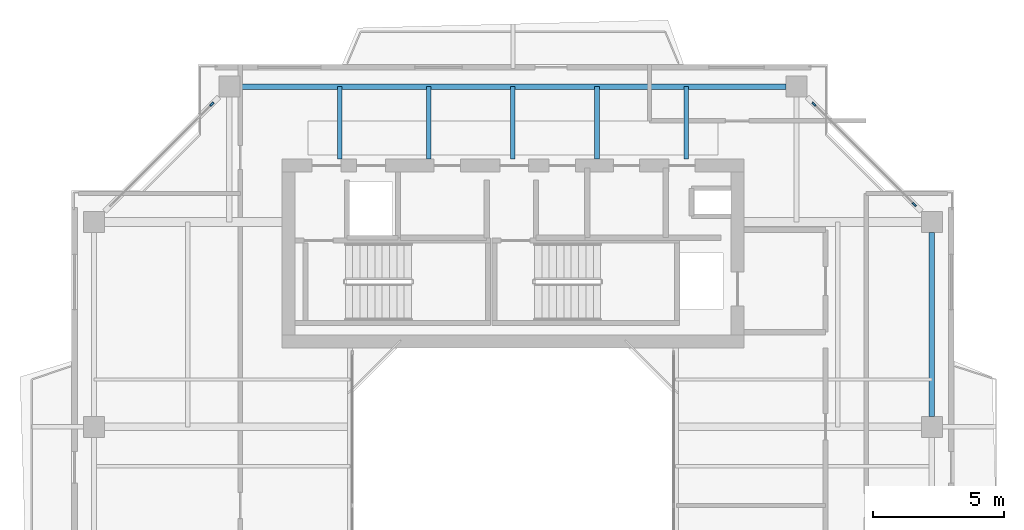
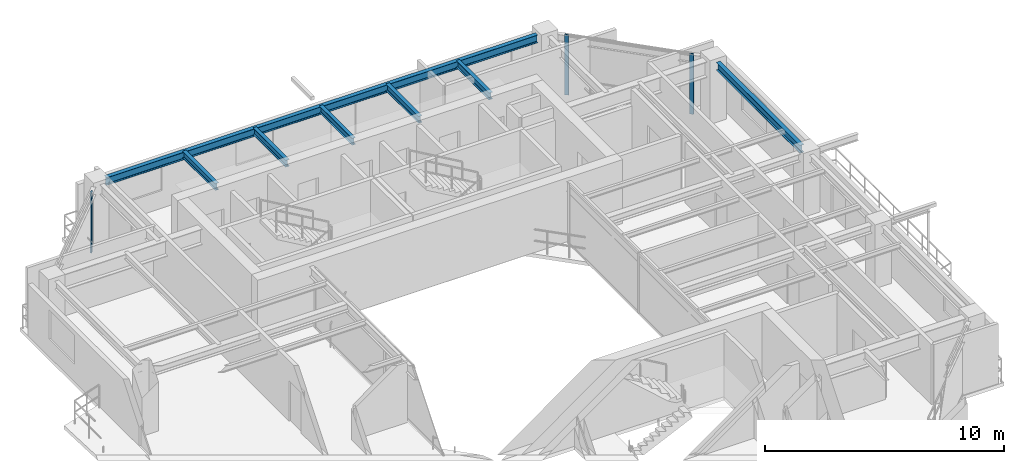
# One storey, part 8 of 15: 7 beams, 3 members, 2 elements without a shape of their own.
"""IFC4 building model written with IfcOpenShell, lengths in metres."""

import ifcopenshell
import ifcopenshell.guid

model = None  # the IFC model being written
_history = None  # IfcOwnerHistory: only IFC2X3 demands one
_inside = {}  # id of a spatial element -> (the spatial element, [elements in it])
_under = {}  # id of a project, library or spatial element -> (it, [spatial elements below it])
_declared = {}  # id of a project -> (the project, [libraries it declares])
_typed = {}  # id of a type object -> (the type object, [elements of that type])
_made_of = {}  # id of a material, layer set ... -> (it, [elements and type objects made of it])


def new_model(schema):
    """Start an empty IFC model of exactly this schema.

    Asked for "IFC4X3", IfcOpenShell would pick the latest addendum, in which some entities
    have other attributes; the version numbers below select the first issue.
    IFC2X3 requires an IfcOwnerHistory on every rooted entity: one is made here for all.
    """
    global model, _history
    if schema == "IFC4X3":
        model = ifcopenshell.file(schema_version=(4, 3, 0, 0))
    else:
        model = ifcopenshell.file(schema=schema)
    _inside.clear()
    _under.clear()
    _declared.clear()
    _typed.clear()
    _made_of.clear()
    _history = None
    if model.schema == "IFC2X3":
        org = make("IfcOrganization", Name="unknown")
        user = make(
            "IfcPersonAndOrganization",
            ThePerson=make("IfcPerson", FamilyName="unknown"),
            TheOrganization=org,
        )
        app = make(
            "IfcApplication",
            ApplicationDeveloper=org,
            Version="unknown",
            ApplicationFullName="unknown",
            ApplicationIdentifier="unknown",
        )
        _history = make(
            "IfcOwnerHistory",
            OwningUser=user,
            OwningApplication=app,
            ChangeAction="ADDED",
            CreationDate=0,
        )
    return model


def make(cls, **values):
    """One entity of the class cls with the attributes given. An attribute that is None is left unset."""
    return model.create_entity(
        cls, **{name: value for name, value in values.items() if value is not None}
    )


def rooted(cls, **values):
    """An entity with a GlobalId (a new one), such as an element, a storey or a relation."""
    return make(cls, GlobalId=ifcopenshell.guid.new(), OwnerHistory=_history, **values)


def si_unit(unit_type, name, prefix=None):
    """IfcSIUnit, for example si_unit("LENGTHUNIT", "METRE", prefix="MILLI")."""
    return make("IfcSIUnit", UnitType=unit_type, Prefix=prefix, Name=name)


def assignment(units):
    """IfcUnitAssignment: the units of a project."""
    return None if units is None else make("IfcUnitAssignment", Units=units)


def point(xyz):
    """IfcCartesianPoint."""
    return None if xyz is None else make("IfcCartesianPoint", Coordinates=xyz)


def direction(xyz):
    """IfcDirection."""
    return None if xyz is None else make("IfcDirection", DirectionRatios=xyz)


def frame(location, z_axis=None, x_axis=None):
    """IfcAxis2Placement3D, a coordinate frame: its origin and axes. An axis left out is left unset."""
    return make(
        "IfcAxis2Placement3D",
        Location=point(location),
        Axis=direction(z_axis),
        RefDirection=direction(x_axis),
    )


def frame_2d(location, x_axis=None):
    """IfcAxis2Placement2D, a coordinate frame in the plane: its origin and x axis."""
    return make(
        "IfcAxis2Placement2D", Location=point(location), RefDirection=direction(x_axis)
    )


def origin():
    """The frame at (0, 0, 0) with its axes left unset."""
    return frame((0.0, 0.0, 0.0))


def origin_2d():
    """The frame at (0, 0) in the plane with its x axis left unset."""
    return frame_2d((0.0, 0.0))


def place(relative_to, where):
    """IfcLocalPlacement: puts the frame where relative to a parent placement (None: the world)."""
    return make(
        "IfcLocalPlacement", PlacementRelTo=relative_to, RelativePlacement=where
    )


def context(
    kind, dimensions, precision=None, world=None, true_north=None, identifier=None
):
    """IfcGeometricRepresentationContext, for example the 3D "Model" context."""
    return make(
        "IfcGeometricRepresentationContext",
        ContextIdentifier=identifier,
        ContextType=kind,
        CoordinateSpaceDimension=dimensions,
        Precision=precision,
        WorldCoordinateSystem=world,
        TrueNorth=true_north,
    )


def subcontext(parent, identifier, kind, view, scale=None):
    """IfcGeometricRepresentationSubContext, for example "Body" below "Model"."""
    return make(
        "IfcGeometricRepresentationSubContext",
        ContextIdentifier=identifier,
        ContextType=kind,
        ParentContext=parent,
        TargetScale=scale,
        TargetView=view,
    )


def project(units=None, contexts=None):
    """IfcProject with its units and contexts."""
    return rooted(
        "IfcProject",
        Name="project",
        RepresentationContexts=contexts,
        UnitsInContext=assignment(units),
    )


def spatial(cls, under=None, at=None, **own):
    """A site, building, storey or space (cls), placed at a placement, below another one or the project."""
    s = rooted(cls, ObjectPlacement=at, **own)
    if under is not None:
        _under.setdefault(under.id(), (under, []))[1].append(s)
    return s


def profile(cls, at=None, kind="AREA", **sizes):
    """A parametric profile (cls). Its sizes go by their IFC names, for example OverallWidth=200.0."""
    return make(cls, ProfileType=kind, Position=at, **sizes)


def rectangle(**sizes):
    """IfcRectangleProfileDef."""
    return profile("IfcRectangleProfileDef", **sizes)


def i_section(**sizes):
    """IfcIShapeProfileDef."""
    return profile("IfcIShapeProfileDef", **sizes)


def extrude(swept, where, along, depth):
    """IfcExtrudedAreaSolid: the profile swept, set in the frame where, extruded along a direction by depth."""
    return make(
        "IfcExtrudedAreaSolid",
        SweptArea=swept,
        Position=where,
        ExtrudedDirection=direction(along),
        Depth=depth,
    )


def shape(context_of_items, identifier, shape_type, items):
    """IfcShapeRepresentation: the items that make up one representation, for example the "Body"."""
    return make(
        "IfcShapeRepresentation",
        ContextOfItems=context_of_items,
        RepresentationIdentifier=identifier,
        RepresentationType=shape_type,
        Items=items,
    )


def source(mapping_origin, context_of_items, identifier, shape_type, items):
    """IfcRepresentationMap: a shape defined once, which mapped items show again and again."""
    return make(
        "IfcRepresentationMap",
        MappingOrigin=mapping_origin,
        MappedRepresentation=shape(context_of_items, identifier, shape_type, items),
    )


def transform(
    local_origin,
    x_axis=None,
    y_axis=None,
    z_axis=None,
    scale=None,
    scale2=None,
    scale3=None,
    uniform=True,
):
    """IfcCartesianTransformationOperator3D, or its non-uniform kind. x_axis, y_axis, z_axis: its Axis1, 2, 3."""
    if uniform:
        return make(
            "IfcCartesianTransformationOperator3D",
            Axis1=direction(x_axis),
            Axis2=direction(y_axis),
            LocalOrigin=point(local_origin),
            Scale=scale,
            Axis3=direction(z_axis),
        )
    return make(
        "IfcCartesianTransformationOperator3DnonUniform",
        Axis1=direction(x_axis),
        Axis2=direction(y_axis),
        LocalOrigin=point(local_origin),
        Scale=scale,
        Axis3=direction(z_axis),
        Scale2=scale2,
        Scale3=scale3,
    )


def mapped(mapping_source, mapping_target):
    """IfcMappedItem: shows the shape of a source again, moved by a transform."""
    return make(
        "IfcMappedItem", MappingSource=mapping_source, MappingTarget=mapping_target
    )


def material(Name=None, Category=None):
    """IfcMaterial."""
    return make("IfcMaterial", Name=Name, Category=Category)


def layer(
    of_material, thickness, ventilated=None, Name=None, Category=None, Priority=None
):
    """IfcMaterialLayer: one layer of a wall or slab, of a material (None: an air gap)."""
    return make(
        "IfcMaterialLayer",
        Material=of_material,
        LayerThickness=thickness,
        IsVentilated=ventilated,
        Name=Name,
        Category=Category,
        Priority=Priority,
    )


def layer_set(layers, Name=None):
    """IfcMaterialLayerSet."""
    return make("IfcMaterialLayerSet", MaterialLayers=layers, LayerSetName=Name)


def material_profile(
    of_material, cross_section, Name=None, Category=None, Priority=None
):
    """IfcMaterialProfile: a cross section and its material."""
    return make(
        "IfcMaterialProfile",
        Name=Name,
        Material=of_material,
        Profile=cross_section,
        Priority=Priority,
        Category=Category,
    )


def profile_set(profiles, Name=None, composite=None):
    """IfcMaterialProfileSet."""
    return make(
        "IfcMaterialProfileSet",
        Name=Name,
        MaterialProfiles=profiles,
        CompositeProfile=composite,
    )


def made_of(thing, what):
    """Note that an element or type object is made of a material, layer set ...; save() writes the relation."""
    if what is not None:
        _made_of.setdefault(what.id(), (what, []))[1].append(thing)
    return thing


def type_object(cls, material=None, **own):
    """A type object (cls), such as IfcWallType, which elements share."""
    return made_of(rooted(cls, **own), material)


def element(
    cls,
    number,
    at=None,
    inside=None,
    cuts=None,
    type_object=None,
    material=None,
    context=None,
    identifier="Body",
    shape_type=None,
    held_by="IfcProductDefinitionShape",
    body=None,
    shapes=None,
    **own,
):
    """One element of the class cls, such as IfcWall. Its Tag is "e" and its number.

    at: its placement. inside: the storey or other place that contains it. cuts: it is an
    opening in that element (IfcRelVoidsElement). A single representation is given by context,
    identifier, shape_type and body (its items); several are given by shapes. held_by: the class
    of the entity that holds the representations. save() writes the other relations.
    """
    e = rooted(cls, Tag="e%d" % number, ObjectPlacement=at, **own)
    if body is not None:
        shapes = [shape(context, identifier, shape_type, body)]
    if shapes is not None:
        e.Representation = make(held_by, Representations=shapes)
    if inside is not None:
        _inside.setdefault(inside.id(), (inside, []))[1].append(e)
    if cuts is not None:
        rooted(
            "IfcRelVoidsElement", RelatingBuildingElement=cuts, RelatedOpeningElement=e
        )
    if type_object is not None:
        _typed.setdefault(type_object.id(), (type_object, []))[1].append(e)
    return made_of(e, material)


def aggregate(whole, parts):
    """IfcRelAggregates: a whole, such as a stair, and the parts it consists of."""
    return rooted("IfcRelAggregates", RelatingObject=whole, RelatedObjects=parts)


def save(model, path):
    """Write the relations noted so far, then the file.

    IfcRelAggregates (storeys below a building ...), IfcRelContainedInSpatialStructure (elements
    in a storey), IfcRelDefinesByType, IfcRelAssociatesMaterial and IfcRelDeclares: one each for
    every whole, place, type object, material and project.
    """
    for whole, parts in _under.values():
        aggregate(whole, parts)
    for where, things in _inside.values():
        rooted(
            "IfcRelContainedInSpatialStructure",
            RelatedElements=things,
            RelatingStructure=where,
        )
    for kind, things in _typed.values():
        rooted("IfcRelDefinesByType", RelatedObjects=things, RelatingType=kind)
    for what, things in _made_of.values():
        rooted("IfcRelAssociatesMaterial", RelatedObjects=things, RelatingMaterial=what)
    for by, libraries in _declared.values():
        rooted("IfcRelDeclares", RelatingContext=by, RelatedDefinitions=libraries)
    model.write(path)


model = new_model("IFC4")

# Units and contexts
model_context = context("Model", 3, precision=1e-05, world=origin(), true_north=direction((0.0, 1.0)))
body_context = subcontext(model_context, "Body", "Model", "MODEL_VIEW")
ifc_project = project(units=[si_unit("LENGTHUNIT", "METRE"), si_unit("AREAUNIT", "SQUARE_METRE"), si_unit("VOLUMEUNIT", "CUBIC_METRE"), si_unit("PLANEANGLEUNIT", "RADIAN"), si_unit("MASSUNIT", "GRAM", prefix="KILO"), si_unit("THERMODYNAMICTEMPERATUREUNIT", "KELVIN"), si_unit("POWERUNIT", "WATT")], contexts=[model_context])

# Site, building, storey
site_placement = place(None, origin())
site = spatial("IfcSite", under=ifc_project, at=site_placement, CompositionType="ELEMENT")
building_placement = place(site_placement, origin())
building = spatial("IfcBuilding", under=site, at=building_placement, Name="Qiaomeng Ring Towers", CompositionType="ELEMENT")
storey_placement = place(building_placement, frame((0.0, 0.0, 226.25)))
storey = spatial("IfcBuildingStorey", under=building, at=storey_placement, Name="L66", CompositionType="ELEMENT", Elevation=226.25)

# Beams
ifc_material_1 = material(Name="Steel Q355B", Category="steel")
ifc_material_profile_1 = material_profile(ifc_material_1, i_section(OverallWidth=0.198974609375, OverallDepth=0.39599609375, WebThickness=0.007080078125, FlangeThickness=0.010986328125, FilletRadius=0.01611328125, at=origin_2d()), Name="HN 396x199x7x11")
ifc_profile_set_1 = profile_set([ifc_material_profile_1], Name="Steel Q355B")
beam_type_1 = type_object("IfcBeamType", Name="STR-BM-HN396", PredefinedType="SPANDREL", material=ifc_profile_set_1)
shared_shape_1 = source(origin(), body_context, "Body", "SweptSolid", [
    extrude(i_section(OverallWidth=0.198974609375, OverallDepth=0.39599609375, WebThickness=0.007080078125, FlangeThickness=0.010986328125, FilletRadius=0.01611328125, at=origin_2d()), origin(), (0.0, 0.0, 1.0), 20.8017578125),
])
beam_1_placement = place(storey_placement, frame((29.40087890625, 38.949951171875, 2.8720703125), z_axis=(-1.0, 0.0, 0.0), x_axis=(0.0, -1.0, 0.0)))
element("IfcBeam", 1, at=beam_1_placement, inside=storey, type_object=beam_type_1, Name="L66 beam STR-SP-L66-T1-N2-N1", PredefinedType="SPANDREL", context=body_context, shape_type="MappedRepresentation", body=[
    mapped(shared_shape_1, transform((0.0, 0.0, 0.0), x_axis=(1.0, 0.0, 0.0), y_axis=(0.0, 1.0, 0.0), z_axis=(0.0, 0.0, 1.0), scale=1.0)),
])
shared_shape_2 = source(origin(), body_context, "Body", "SweptSolid", [
    extrude(i_section(OverallWidth=0.198974609375, OverallDepth=0.39599609375, WebThickness=0.007080078125, FlangeThickness=0.010986328125, FilletRadius=0.01611328125, at=origin_2d()), origin(), (0.0, 0.0, 1.0), 7.001953125),
])
beam_2_placement = place(storey_placement, frame((34.949951171875, 26.39892578125, 2.8720703125), z_axis=(0.0, 1.0, 0.0), x_axis=(-1.0, 0.0, 0.0)))
element("IfcBeam", 2, at=beam_2_placement, inside=storey, type_object=beam_type_1, Name="L66 beam STR-SP-L66-T1-E3-E4", PredefinedType="SPANDREL", context=body_context, shape_type="MappedRepresentation", body=[
    mapped(shared_shape_2, transform((0.0, 0.0, 0.0), x_axis=(1.0, 0.0, 0.0), y_axis=(0.0, 1.0, 0.0), z_axis=(0.0, 0.0, 1.0), scale=1.0)),
])
ifc_material_profile_2 = material_profile(ifc_material_1, i_section(OverallWidth=0.175048828125, OverallDepth=0.35009765625, WebThickness=0.007080078125, FlangeThickness=0.010986328125, FilletRadius=0.013916015625, at=origin_2d()), Name="HN 350x175x7x11")
ifc_profile_set_2 = profile_set([ifc_material_profile_2], Name="Steel Q355B")
beam_type_2 = type_object("IfcBeamType", Name="STR-BM-HN350", PredefinedType="JOIST", material=ifc_profile_set_2)
shared_shape_3 = source(origin(), body_context, "Body", "SweptSolid", [
    extrude(i_section(OverallWidth=0.175048828125, OverallDepth=0.35009765625, WebThickness=0.007080078125, FlangeThickness=0.010986328125, FilletRadius=0.013916015625, at=origin_2d()), origin(), (0.0, 0.0, 1.0), 2.75),
])
for number, where, z_axis, x_axis, name in (
    (3, (12.39990234375, 36.199951171875, 2.89501953125), (0.0, 1.0, 0.0), (-1.0, 0.0, 0.0), "L66 beam STR-JST-L66-T1N-1"),
    (4, (15.800048828125, 36.199951171875, 2.89501953125), (0.0, 1.0, 0.0), (-1.0, 0.0, 0.0), "L66 beam STR-JST-L66-T1N-2"),
    (5, (19.0, 36.199951171875, 2.89501953125), (0.0, 1.0, 0.0), (-1.0, 0.0, 0.0), "L66 beam STR-JST-L66-T1N-3"),
    (6, (22.199951171875, 36.199951171875, 2.89501953125), (0.0, 1.0, 0.0), (-1.0, 0.0, 0.0), "L66 beam STR-JST-L66-T1N-4"),
    (7, (25.60009765625, 36.199951171875, 2.89501953125), (0.0, 1.0, 0.0), (-1.0, 0.0, 0.0), "L66 beam STR-JST-L66-T1N-5"),
):
    element("IfcBeam", number, at=place(storey_placement, frame(where, z_axis=z_axis, x_axis=x_axis)), inside=storey, type_object=beam_type_2, Name=name, PredefinedType="JOIST", context=body_context, shape_type="MappedRepresentation", body=[
        mapped(shared_shape_3, transform((0.0, 0.0, 0.0), x_axis=(1.0, 0.0, 0.0), y_axis=(0.0, 1.0, 0.0), z_axis=(0.0, 0.0, 1.0), scale=1.0)),
    ])

# Curtain wall, members
ifc_material_2 = material(Name="Fluorocarbon dark-grey aluminium", Category="aluminium")
ifc_layer = layer(ifc_material_2, 0.14990234375, Name="Fluorocarbon dark-grey aluminium")
ifc_layer_set = layer_set([ifc_layer], Name="Fluorocarbon dark-grey aluminium")
curtain_wall_type = type_object("IfcCurtainWallType", Name="ARC-CW-3", PredefinedType="NOTDEFINED", material=ifc_layer_set)
curtain_wall_1_placement = place(storey_placement, origin())
curtain_wall_1 = element("IfcCurtainWall", 8, at=curtain_wall_1_placement, inside=storey, type_object=curtain_wall_type, Name="L66 Curtain Wall CW3", PredefinedType="NOTDEFINED")
ifc_material_profile_3 = material_profile(ifc_material_2, rectangle(XDim=0.070068359375, YDim=0.179931640625, at=origin_2d()), Name="ALU MULL 70x180")
ifc_profile_set_3 = profile_set([ifc_material_profile_3], Name="Fluorocarbon dark-grey aluminium")
member_type = type_object("IfcMemberType", Name="ARC-CWM-160", PredefinedType="MULLION", material=ifc_profile_set_3)
shared_shape_4 = source(origin(), body_context, "Body", "SweptSolid", [
    extrude(rectangle(XDim=0.070068359375, YDim=0.179931640625, at=origin_2d()), origin(), (0.0, 0.0, 1.0), 3.070068359375),
])
member_1_placement = place(storey_placement, frame((34.28515625, 34.46484375, 0.0), z_axis=(0.0, 0.0, 1.0), x_axis=(-0.707106781187, -0.707106781187, 0.0)))
member_1 = element("IfcMember", 9, at=member_1_placement, type_object=member_type, Name="CW3 mullion 1", PredefinedType="MULLION", context=body_context, shape_type="MappedRepresentation", body=[
    mapped(shared_shape_4, transform((0.0, 0.0, 0.0), x_axis=(1.0, 0.0, 0.0), y_axis=(0.0, 1.0, 0.0), z_axis=(0.0, 0.0, 1.0), scale=1.0)),
])
member_2_placement = place(storey_placement, frame((30.46484375, 38.28515625, 0.0), z_axis=(0.0, 0.0, 1.0), x_axis=(-0.707106781187, -0.707106781187, 0.0)))
member_2 = element("IfcMember", 10, at=member_2_placement, type_object=member_type, Name="CW3 mullion 2", PredefinedType="MULLION", context=body_context, shape_type="MappedRepresentation", body=[
    mapped(shared_shape_4, transform((0.0, 0.0, 0.0), x_axis=(1.0, 0.0, 0.0), y_axis=(0.0, 1.0, 0.0), z_axis=(0.0, 0.0, 1.0), scale=1.0)),
])
aggregate(curtain_wall_1, [member_1, member_2])

# Curtain wall, member
curtain_wall_2_placement = place(storey_placement, origin())
curtain_wall_2 = element("IfcCurtainWall", 11, at=curtain_wall_2_placement, inside=storey, type_object=curtain_wall_type, Name="L66 Curtain Wall CW3", PredefinedType="NOTDEFINED")
member_3_placement = place(storey_placement, frame((7.53515625, 38.28515625, 0.0), z_axis=(0.0, 0.0, 1.0), x_axis=(0.707106781187, -0.707106781187, 0.0)))
member_3 = element("IfcMember", 12, at=member_3_placement, type_object=member_type, Name="CW3 mullion 1", PredefinedType="MULLION", context=body_context, shape_type="MappedRepresentation", body=[
    mapped(shared_shape_4, transform((0.0, 0.0, 0.0), x_axis=(1.0, 0.0, 0.0), y_axis=(0.0, 1.0, 0.0), z_axis=(0.0, 0.0, 1.0), scale=1.0)),
])
aggregate(curtain_wall_2, [member_3])

save(model, "model.ifc")
